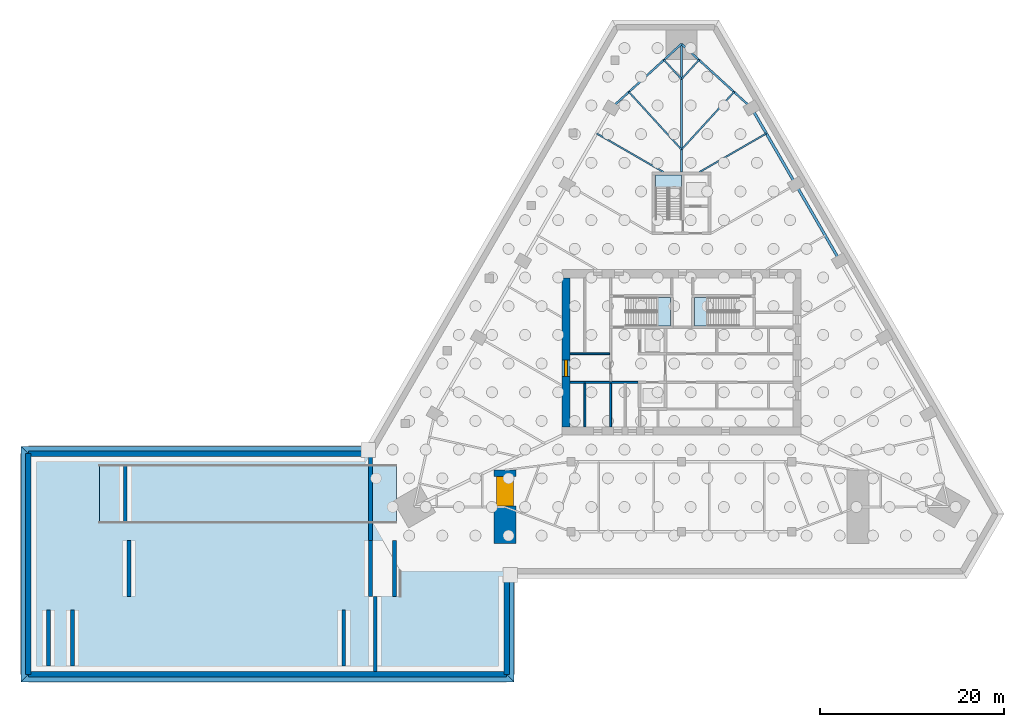
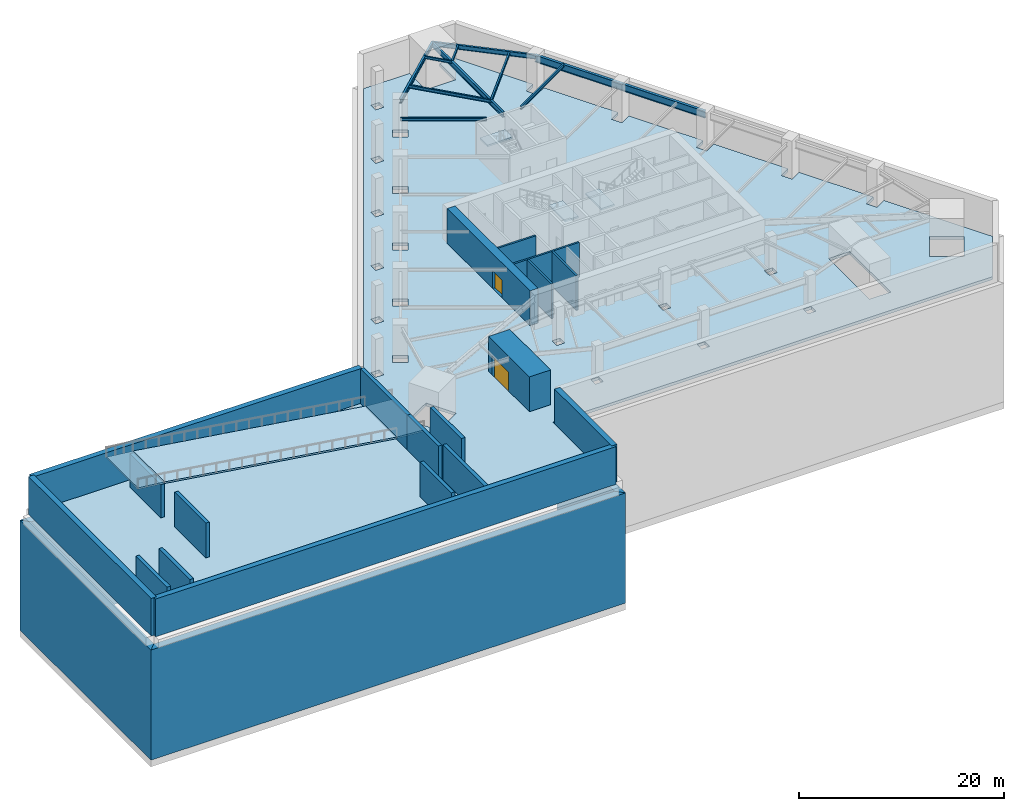
# One storey, part 3 of 8: 23 walls, 10 beams, 7 slabs, 2 doors, 2 openings, 3 elements without a shape of their own.
"""IFC4 building model written with IfcOpenShell, lengths in metres."""

import ifcopenshell
import ifcopenshell.guid

model = None  # the IFC model being written
_history = None  # IfcOwnerHistory: only IFC2X3 demands one
_inside = {}  # id of a spatial element -> (the spatial element, [elements in it])
_under = {}  # id of a project, library or spatial element -> (it, [spatial elements below it])
_declared = {}  # id of a project -> (the project, [libraries it declares])
_typed = {}  # id of a type object -> (the type object, [elements of that type])
_made_of = {}  # id of a material, layer set ... -> (it, [elements and type objects made of it])


def new_model(schema):
    """Start an empty IFC model of exactly this schema.

    Asked for "IFC4X3", IfcOpenShell would pick the latest addendum, in which some entities
    have other attributes; the version numbers below select the first issue.
    IFC2X3 requires an IfcOwnerHistory on every rooted entity: one is made here for all.
    """
    global model, _history
    if schema == "IFC4X3":
        model = ifcopenshell.file(schema_version=(4, 3, 0, 0))
    else:
        model = ifcopenshell.file(schema=schema)
    _inside.clear()
    _under.clear()
    _declared.clear()
    _typed.clear()
    _made_of.clear()
    _history = None
    if model.schema == "IFC2X3":
        org = make("IfcOrganization", Name="unknown")
        user = make(
            "IfcPersonAndOrganization",
            ThePerson=make("IfcPerson", FamilyName="unknown"),
            TheOrganization=org,
        )
        app = make(
            "IfcApplication",
            ApplicationDeveloper=org,
            Version="unknown",
            ApplicationFullName="unknown",
            ApplicationIdentifier="unknown",
        )
        _history = make(
            "IfcOwnerHistory",
            OwningUser=user,
            OwningApplication=app,
            ChangeAction="ADDED",
            CreationDate=0,
        )
    return model


def make(cls, **values):
    """One entity of the class cls with the attributes given. An attribute that is None is left unset."""
    return model.create_entity(
        cls, **{name: value for name, value in values.items() if value is not None}
    )


def rooted(cls, **values):
    """An entity with a GlobalId (a new one), such as an element, a storey or a relation."""
    return make(cls, GlobalId=ifcopenshell.guid.new(), OwnerHistory=_history, **values)


def si_unit(unit_type, name, prefix=None):
    """IfcSIUnit, for example si_unit("LENGTHUNIT", "METRE", prefix="MILLI")."""
    return make("IfcSIUnit", UnitType=unit_type, Prefix=prefix, Name=name)


def assignment(units):
    """IfcUnitAssignment: the units of a project."""
    return None if units is None else make("IfcUnitAssignment", Units=units)


def point(xyz):
    """IfcCartesianPoint."""
    return None if xyz is None else make("IfcCartesianPoint", Coordinates=xyz)


def direction(xyz):
    """IfcDirection."""
    return None if xyz is None else make("IfcDirection", DirectionRatios=xyz)


def frame(location, z_axis=None, x_axis=None):
    """IfcAxis2Placement3D, a coordinate frame: its origin and axes. An axis left out is left unset."""
    return make(
        "IfcAxis2Placement3D",
        Location=point(location),
        Axis=direction(z_axis),
        RefDirection=direction(x_axis),
    )


def frame_2d(location, x_axis=None):
    """IfcAxis2Placement2D, a coordinate frame in the plane: its origin and x axis."""
    return make(
        "IfcAxis2Placement2D", Location=point(location), RefDirection=direction(x_axis)
    )


def origin():
    """The frame at (0, 0, 0) with its axes left unset."""
    return frame((0.0, 0.0, 0.0))


def origin_2d():
    """The frame at (0, 0) in the plane with its x axis left unset."""
    return frame_2d((0.0, 0.0))


def place(relative_to, where):
    """IfcLocalPlacement: puts the frame where relative to a parent placement (None: the world)."""
    return make(
        "IfcLocalPlacement", PlacementRelTo=relative_to, RelativePlacement=where
    )


def context(
    kind, dimensions, precision=None, world=None, true_north=None, identifier=None
):
    """IfcGeometricRepresentationContext, for example the 3D "Model" context."""
    return make(
        "IfcGeometricRepresentationContext",
        ContextIdentifier=identifier,
        ContextType=kind,
        CoordinateSpaceDimension=dimensions,
        Precision=precision,
        WorldCoordinateSystem=world,
        TrueNorth=true_north,
    )


def subcontext(parent, identifier, kind, view, scale=None):
    """IfcGeometricRepresentationSubContext, for example "Body" below "Model"."""
    return make(
        "IfcGeometricRepresentationSubContext",
        ContextIdentifier=identifier,
        ContextType=kind,
        ParentContext=parent,
        TargetScale=scale,
        TargetView=view,
    )


def project(units=None, contexts=None):
    """IfcProject with its units and contexts."""
    return rooted(
        "IfcProject",
        Name="project",
        RepresentationContexts=contexts,
        UnitsInContext=assignment(units),
    )


def spatial(cls, under=None, at=None, **own):
    """A site, building, storey or space (cls), placed at a placement, below another one or the project."""
    s = rooted(cls, ObjectPlacement=at, **own)
    if under is not None:
        _under.setdefault(under.id(), (under, []))[1].append(s)
    return s


def polyline(points):
    """IfcPolyline through the points."""
    return make("IfcPolyline", Points=[point(p) for p in points])


def profile(cls, at=None, kind="AREA", **sizes):
    """A parametric profile (cls). Its sizes go by their IFC names, for example OverallWidth=200.0."""
    return make(cls, ProfileType=kind, Position=at, **sizes)


def rectangle(**sizes):
    """IfcRectangleProfileDef."""
    return profile("IfcRectangleProfileDef", **sizes)


def i_section(**sizes):
    """IfcIShapeProfileDef."""
    return profile("IfcIShapeProfileDef", **sizes)


def outline(outer, holes=None, kind="AREA"):
    """IfcArbitraryClosedProfileDef: a profile drawn as a closed curve; with holes, ...WithVoids."""
    if holes is None:
        return make("IfcArbitraryClosedProfileDef", ProfileType=kind, OuterCurve=outer)
    return make(
        "IfcArbitraryProfileDefWithVoids",
        ProfileType=kind,
        OuterCurve=outer,
        InnerCurves=holes,
    )


def extrude(swept, where, along, depth):
    """IfcExtrudedAreaSolid: the profile swept, set in the frame where, extruded along a direction by depth."""
    return make(
        "IfcExtrudedAreaSolid",
        SweptArea=swept,
        Position=where,
        ExtrudedDirection=direction(along),
        Depth=depth,
    )


def shape(context_of_items, identifier, shape_type, items):
    """IfcShapeRepresentation: the items that make up one representation, for example the "Body"."""
    return make(
        "IfcShapeRepresentation",
        ContextOfItems=context_of_items,
        RepresentationIdentifier=identifier,
        RepresentationType=shape_type,
        Items=items,
    )


def material(Name=None, Category=None):
    """IfcMaterial."""
    return make("IfcMaterial", Name=Name, Category=Category)


def layer(
    of_material, thickness, ventilated=None, Name=None, Category=None, Priority=None
):
    """IfcMaterialLayer: one layer of a wall or slab, of a material (None: an air gap)."""
    return make(
        "IfcMaterialLayer",
        Material=of_material,
        LayerThickness=thickness,
        IsVentilated=ventilated,
        Name=Name,
        Category=Category,
        Priority=Priority,
    )


def layer_set(layers, Name=None):
    """IfcMaterialLayerSet."""
    return make("IfcMaterialLayerSet", MaterialLayers=layers, LayerSetName=Name)


def material_profile(
    of_material, cross_section, Name=None, Category=None, Priority=None
):
    """IfcMaterialProfile: a cross section and its material."""
    return make(
        "IfcMaterialProfile",
        Name=Name,
        Material=of_material,
        Profile=cross_section,
        Priority=Priority,
        Category=Category,
    )


def profile_set(profiles, Name=None, composite=None):
    """IfcMaterialProfileSet."""
    return make(
        "IfcMaterialProfileSet",
        Name=Name,
        MaterialProfiles=profiles,
        CompositeProfile=composite,
    )


def made_of(thing, what):
    """Note that an element or type object is made of a material, layer set ...; save() writes the relation."""
    if what is not None:
        _made_of.setdefault(what.id(), (what, []))[1].append(thing)
    return thing


def type_object(cls, material=None, **own):
    """A type object (cls), such as IfcWallType, which elements share."""
    return made_of(rooted(cls, **own), material)


def element(
    cls,
    number,
    at=None,
    inside=None,
    cuts=None,
    type_object=None,
    material=None,
    context=None,
    identifier="Body",
    shape_type=None,
    held_by="IfcProductDefinitionShape",
    body=None,
    shapes=None,
    **own,
):
    """One element of the class cls, such as IfcWall. Its Tag is "e" and its number.

    at: its placement. inside: the storey or other place that contains it. cuts: it is an
    opening in that element (IfcRelVoidsElement). A single representation is given by context,
    identifier, shape_type and body (its items); several are given by shapes. held_by: the class
    of the entity that holds the representations. save() writes the other relations.
    """
    e = rooted(cls, Tag="e%d" % number, ObjectPlacement=at, **own)
    if body is not None:
        shapes = [shape(context, identifier, shape_type, body)]
    if shapes is not None:
        e.Representation = make(held_by, Representations=shapes)
    if inside is not None:
        _inside.setdefault(inside.id(), (inside, []))[1].append(e)
    if cuts is not None:
        rooted(
            "IfcRelVoidsElement", RelatingBuildingElement=cuts, RelatedOpeningElement=e
        )
    if type_object is not None:
        _typed.setdefault(type_object.id(), (type_object, []))[1].append(e)
    return made_of(e, material)


def fill(opening, filler):
    """IfcRelFillsElement: the door or window that sits in an opening."""
    return rooted(
        "IfcRelFillsElement",
        RelatingOpeningElement=opening,
        RelatedBuildingElement=filler,
    )


def aggregate(whole, parts):
    """IfcRelAggregates: a whole, such as a stair, and the parts it consists of."""
    return rooted("IfcRelAggregates", RelatingObject=whole, RelatedObjects=parts)


def save(model, path):
    """Write the relations noted so far, then the file.

    IfcRelAggregates (storeys below a building ...), IfcRelContainedInSpatialStructure (elements
    in a storey), IfcRelDefinesByType, IfcRelAssociatesMaterial and IfcRelDeclares: one each for
    every whole, place, type object, material and project.
    """
    for whole, parts in _under.values():
        aggregate(whole, parts)
    for where, things in _inside.values():
        rooted(
            "IfcRelContainedInSpatialStructure",
            RelatedElements=things,
            RelatingStructure=where,
        )
    for kind, things in _typed.values():
        rooted("IfcRelDefinesByType", RelatedObjects=things, RelatingType=kind)
    for what, things in _made_of.values():
        rooted("IfcRelAssociatesMaterial", RelatedObjects=things, RelatingMaterial=what)
    for by, libraries in _declared.values():
        rooted("IfcRelDeclares", RelatingContext=by, RelatedDefinitions=libraries)
    model.write(path)


model = new_model("IFC4")

# Units and contexts
model_context = context("Model", 3, precision=1e-05, world=origin(), true_north=direction((0.0, 1.0)))
body_context = subcontext(model_context, "Body", "Model", "MODEL_VIEW")
ifc_project = project(units=[si_unit("LENGTHUNIT", "METRE"), si_unit("AREAUNIT", "SQUARE_METRE"), si_unit("VOLUMEUNIT", "CUBIC_METRE"), si_unit("PLANEANGLEUNIT", "RADIAN"), si_unit("MASSUNIT", "GRAM", prefix="KILO")], contexts=[model_context])

# Site, building, storey
site_placement = place(None, origin())
site = spatial("IfcSite", under=ifc_project, at=site_placement, CompositionType="ELEMENT")
building_placement = place(site_placement, origin())
building = spatial("IfcBuilding", under=site, at=building_placement, Name="Firuza Gate Tower and Library", CompositionType="ELEMENT")
storey_placement = place(building_placement, frame((0.0, 0.0, -14.0)))
storey = spatial("IfcBuildingStorey", under=building, at=storey_placement, Name="B3", CompositionType="ELEMENT", Elevation=-14.0)

# Beams
ifc_material_1 = material(Name="Steel S355", Category="steel")
ifc_material_profile_1 = material_profile(ifc_material_1, i_section(OverallWidth=0.1650390625, OverallDepth=0.31005859375, WebThickness=0.005859375, FlangeThickness=0.009765625, at=origin_2d()))
ifc_profile_set_1 = profile_set([ifc_material_profile_1], Name="Steel S355")
beam_type_1 = type_object("IfcBeamType", Name="W310x39 Floor beam", PredefinedType="JOIST", material=ifc_profile_set_1)
for number, where, z_axis, x_axis, name in (
    (1, (76.905029296875, 106.79296875, 3.9951171875), (-0.674533736892, -0.738244023203, 0.0), (0.738244023203, -0.674533736892, 0.0), "Floor beam B3 s81"),
    (2, (73.094970703125, 106.79296875, 3.9951171875), (0.674533736892, -0.738244023203, 0.0), (0.738244023203, 0.674533736892, 0.0), "Floor beam B3 s90"),
):
    element("IfcBeam", number, at=place(storey_placement, frame(where, z_axis=z_axis, x_axis=x_axis)), inside=storey, type_object=beam_type_1, Name=name, PredefinedType="JOIST", context=body_context, shape_type="SweptSolid", body=[
        extrude(i_section(OverallWidth=0.1650390625, OverallDepth=0.31005859375, WebThickness=0.005859375, FlangeThickness=0.009765625, at=origin_2d()), origin(), (0.0, 0.0, 1.0), 2.82421875),
    ])
ifc_material_2 = material(Name="Steel S355", Category="steel")
ifc_material_profile_2 = material_profile(ifc_material_2, i_section(OverallWidth=0.1708984375, OverallDepth=0.35498046875, WebThickness=0.007080078125, FlangeThickness=0.01171875, at=origin_2d()))
ifc_profile_set_2 = profile_set([ifc_material_profile_2], Name="Steel S355")
beam_type_2 = type_object("IfcBeamType", Name="W360x51 Floor beam", PredefinedType="JOIST", material=ifc_profile_set_2)
beam_1_placement = place(storey_placement, frame((84.220458984375, 98.798828125, 3.972412109375), z_axis=(-0.866019517829, -0.500010194636, 0.0), x_axis=(0.500010194636, -0.866019517829, 0.0)))
element("IfcBeam", 3, at=beam_1_placement, inside=storey, type_object=beam_type_2, Name="Floor beam B3 s75", PredefinedType="JOIST", context=body_context, shape_type="SweptSolid", body=[
    extrude(i_section(OverallWidth=0.1708984375, OverallDepth=0.35498046875, WebThickness=0.007080078125, FlangeThickness=0.01171875, at=origin_2d()), origin(), (0.0, 0.0, 1.0), 8.397216796875),
])
for number, where, z_axis, x_axis, name in (
    (4, (80.71533203125, 103.31103515625, 3.972412109375), (-0.674578139258, -0.7382034503, 0.0), (0.7382034503, -0.674578139258, 0.0), "Floor beam B3 s80"),
    (5, (69.28466796875, 103.31103515625, 3.972412109375), (0.674578139258, -0.7382034503, 0.0), (0.7382034503, 0.674578139258, 0.0), "Floor beam B3 s91"),
):
    element("IfcBeam", number, at=place(storey_placement, frame(where, z_axis=z_axis, x_axis=x_axis)), inside=storey, type_object=beam_type_2, Name=name, PredefinedType="JOIST", context=body_context, shape_type="SweptSolid", body=[
        extrude(i_section(OverallWidth=0.1708984375, OverallDepth=0.35498046875, WebThickness=0.007080078125, FlangeThickness=0.01171875, at=origin_2d()), origin(), (0.0, 0.0, 1.0), 8.472412109375),
    ])
beam_2_placement = place(storey_placement, frame((65.779541015625, 98.798828125, 3.972412109375), z_axis=(0.866019517829, -0.500010194636, 0.0), x_axis=(0.500010194636, 0.866019517829, 0.0)))
element("IfcBeam", 6, at=beam_2_placement, inside=storey, type_object=beam_type_2, Name="Floor beam B3 s100", PredefinedType="JOIST", context=body_context, shape_type="SweptSolid", body=[
    extrude(i_section(OverallWidth=0.1708984375, OverallDepth=0.35498046875, WebThickness=0.007080078125, FlangeThickness=0.01171875, at=origin_2d()), origin(), (0.0, 0.0, 1.0), 8.397216796875),
])
ifc_material_3 = material(Name="Steel S355", Category="steel")
ifc_material_profile_3 = material_profile(ifc_material_3, i_section(OverallWidth=0.212890625, OverallDepth=0.5390625, WebThickness=0.01171875, FlangeThickness=0.018798828125, at=origin_2d()))
ifc_profile_set_3 = profile_set([ifc_material_profile_3], Name="Steel S355")
beam_type_3 = type_object("IfcBeamType", Name="W530x109 Edge beam", PredefinedType="SPANDREL", material=ifc_profile_set_3)
for number, where, z_axis, x_axis, name in (
    (7, (82.62060546875, 101.570068359375, 3.880615234375), (-0.738199730284, 0.674582210118, 0.0), (-0.674582210118, -0.738199730284, 0.0), "Edge beam B3 e80"),
    (8, (75.0, 108.533935546875, 3.880615234375), (-0.738199730284, -0.674582210118, 0.0), (0.674582210118, -0.738199730284, 0.0), "Edge beam B3 e90"),
):
    element("IfcBeam", number, at=place(storey_placement, frame(where, z_axis=z_axis, x_axis=x_axis)), inside=storey, type_object=beam_type_3, Name=name, PredefinedType="SPANDREL", context=body_context, shape_type="SweptSolid", body=[
        extrude(i_section(OverallWidth=0.212890625, OverallDepth=0.5390625, WebThickness=0.01171875, FlangeThickness=0.018798828125, at=origin_2d()), origin(), (0.0, 0.0, 1.0), 10.3232421875),
    ])
ifc_material_4 = material(Name="Steel S355", Category="steel")
ifc_material_profile_4 = material_profile(ifc_material_4, i_section(OverallWidth=0.22802734375, OverallDepth=0.60302734375, WebThickness=0.010498046875, FlangeThickness=0.014892578125, at=origin_2d()))
ifc_profile_set_4 = profile_set([ifc_material_profile_4], Name="Steel S355")
beam_type_4 = type_object("IfcBeamType", Name="W610x101 Girder", PredefinedType="BEAM", material=ifc_profile_set_4)
beam_3_placement = place(storey_placement, frame((75.0, 108.533935546875, 3.848388671875), z_axis=(0.0, -1.0, 0.0), x_axis=(1.0, 0.0, 0.0)))
element("IfcBeam", 9, at=beam_3_placement, inside=storey, type_object=beam_type_4, Name="Girder B3 gN", PredefinedType="BEAM", context=body_context, shape_type="SweptSolid", body=[
    extrude(i_section(OverallWidth=0.22802734375, OverallDepth=0.60302734375, WebThickness=0.010498046875, FlangeThickness=0.014892578125, at=origin_2d()), origin(), (0.0, 0.0, 1.0), 13.933837890625),
])
ifc_material_5 = material(Name="Steel S355", Category="steel")
ifc_material_profile_5 = material_profile(ifc_material_5, i_section(OverallWidth=0.2919921875, OverallDepth=0.8349609375, WebThickness=0.013916015625, FlangeThickness=0.018798828125, at=origin_2d()))
ifc_profile_set_5 = profile_set([ifc_material_profile_5], Name="Steel S355")
beam_type_5 = type_object("IfcBeamType", Name="W840x176 Edge beam", PredefinedType="SPANDREL", material=ifc_profile_set_5)
beam_4_placement = place(storey_placement, frame((92.220458984375, 84.9423828125, 3.732421875), z_axis=(-0.499994327668, 0.866028678682, 0.0), x_axis=(-0.866028678682, -0.499994327668, 0.0)))
element("IfcBeam", 10, at=beam_4_placement, inside=storey, type_object=beam_type_5, Name="Edge beam B3 e72", PredefinedType="SPANDREL", context=body_context, shape_type="SweptSolid", body=[
    extrude(i_section(OverallWidth=0.2919921875, OverallDepth=0.8349609375, WebThickness=0.013916015625, FlangeThickness=0.018798828125, at=origin_2d()), origin(), (0.0, 0.0, 1.0), 19.199951171875),
])

# Slabs
ifc_material_6 = material(Name="Concrete C40/50", Category="concrete")
ifc_layer_1 = layer(ifc_material_6, 0.199951171875)
ifc_layer_set_1 = layer_set([ifc_layer_1], Name="Car park ramp slab 200 C40/50")
slab_type_1 = type_object("IfcSlabType", Name="Car park ramp slab 200 C40/50", PredefinedType="USERDEFINED", material=ifc_layer_set_1)
slab_1_placement = place(storey_placement, frame((11.75, 59.60009765625, 3.966796875), z_axis=(0.0, 0.0, 1.0), x_axis=(1.0, 0.0, 0.0)))
element("IfcSlab", 11, at=slab_1_placement, inside=storey, type_object=slab_type_1, Name="Car park ramp 3 slab 1", ObjectType="RAMP SLAB", PredefinedType="USERDEFINED", context=body_context, shape_type="SweptSolid", body=[
    extrude(outline(polyline([(0.0, 0.533203125), (3.0, 0.199951171875), (3.0, 0.0), (0.0, 0.333251953125), (0.0, 0.533203125)])), frame((0.0, 3.0498046875, 0.0), z_axis=(0.0, -1.0, 0.0), x_axis=(1.0, 0.0, 0.0)), (0.0, 0.0, 1.0), 6.099853515625),
])
slab_2_placement = place(storey_placement, frame((14.75, 59.60009765625, 0.13330078125), z_axis=(0.0, 0.0, 1.0), x_axis=(1.0, 0.0, 0.0)))
element("IfcSlab", 12, at=slab_2_placement, inside=storey, type_object=slab_type_1, Name="Car park ramp 3 slab 2", ObjectType="RAMP SLAB", PredefinedType="USERDEFINED", context=body_context, shape_type="SweptSolid", body=[
    extrude(outline(polyline([(0.0, 4.033447265625), (26.25, 0.199951171875), (26.25, 0.0), (0.0, 3.83349609375), (0.0, 4.033447265625)])), frame((0.0, 3.0498046875, 0.0), z_axis=(0.0, -1.0, 0.0), x_axis=(1.0, 0.0, 0.0)), (0.0, 0.0, 1.0), 6.099853515625),
])
slab_3_placement = place(storey_placement, frame((41.0, 59.60009765625, -0.08984375), z_axis=(0.0, 0.0, 1.0), x_axis=(1.0, 0.0, 0.0)))
element("IfcSlab", 13, at=slab_3_placement, inside=storey, type_object=slab_type_1, Name="Car park ramp 3 slab 3", ObjectType="RAMP SLAB", PredefinedType="USERDEFINED", context=body_context, shape_type="SweptSolid", body=[
    extrude(outline(polyline([(0.0, 0.423095703125), (3.0, 0.199951171875), (3.0, 0.0), (0.0, 0.22314453125), (0.0, 0.423095703125)])), frame((0.0, 3.0498046875, 0.0), z_axis=(0.0, -1.0, 0.0), x_axis=(1.0, 0.0, 0.0)), (0.0, 0.0, 1.0), 6.099853515625),
])
ifc_material_7 = material(Name="Concrete C40/50", Category="concrete")
ifc_layer_2 = layer(ifc_material_7, 0.35009765625)
ifc_layer_set_2 = layer_set([ifc_layer_2], Name="Ground bearing slab 350 C40/50")
slab_type_2 = type_object("IfcSlabType", Name="Ground bearing slab 350 C40/50", PredefinedType="BASESLAB", material=ifc_layer_set_2)
slab_4_placement = place(storey_placement, frame((0.0, 0.0, -0.35009765625)))
element("IfcSlab", 14, at=slab_4_placement, inside=storey, type_object=slab_type_2, Name="Floor slab B3", PredefinedType="BASESLAB", context=body_context, shape_type="SweptSolid", body=[
    extrude(outline(polyline([(55.699951171875, 40.300048828125), (55.699951171875, 51.515380859375), (105.35888671875, 51.515380859375), (108.78564453125, 57.45068359375), (102.64013671875, 68.094970703125), (101.470947265625, 67.419921875), (100.87109375, 68.459228515625), (102.040283203125, 69.13427734375), (97.840087890625, 76.408935546875), (96.671142578125, 75.73388671875), (96.071044921875, 76.773193359375), (97.240234375, 77.447998046875), (93.040283203125, 84.72265625), (91.87109375, 84.047607421875), (91.27099609375, 85.0869140625), (92.440185546875, 85.761962890625), (88.240234375, 93.03662109375), (87.071044921875, 92.361572265625), (86.470947265625, 93.40087890625), (87.64013671875, 94.07568359375), (83.440185546875, 101.350341796875), (82.27099609375, 100.67529296875), (81.671142578125, 101.714599609375), (82.840087890625, 102.3896484375), (78.4267578125, 110.033935546875), (76.699951171875, 110.033935546875), (76.699951171875, 106.833740234375), (73.300048828125, 106.833740234375), (73.300048828125, 110.033935546875), (68.109130859375, 110.033935546875), (41.358154296875, 63.699951171875), (4.300048828125, 63.699951171875), (4.300048828125, 40.300048828125), (55.699951171875, 40.300048828125)]), holes=[polyline([(63.449951171875, 55.0654296875), (62.550048828125, 55.0654296875), (62.550048828125, 55.96533203125), (63.449951171875, 55.96533203125), (63.449951171875, 55.0654296875)]), polyline([(54.60009765625, 62.21533203125), (57.0, 62.21533203125), (57.0, 54.21533203125), (54.60009765625, 54.21533203125), (54.60009765625, 62.21533203125)]), polyline([(43.63671875, 58.855224609375), (46.5810546875, 60.555419921875), (48.281005859375, 57.61083984375), (45.336669921875, 55.910888671875), (43.63671875, 58.855224609375)]), polyline([(63.449951171875, 62.665283203125), (62.550048828125, 62.665283203125), (62.550048828125, 63.5654296875), (63.449951171875, 63.5654296875), (63.449951171875, 62.665283203125)]), polyline([(44.5302734375, 66.82373046875), (44.5302734375, 67.7236328125), (45.430419921875, 67.7236328125), (45.430419921875, 66.82373046875), (44.5302734375, 66.82373046875)]), polyline([(47.829833984375, 69.209228515625), (49.12890625, 68.459228515625), (48.529052734375, 67.419921875), (47.22998046875, 68.169921875), (47.829833984375, 69.209228515625)]), polyline([(49.98974609375, 74.720947265625), (49.08984375, 74.720947265625), (49.08984375, 75.620849609375), (49.98974609375, 75.620849609375), (49.98974609375, 74.720947265625)]), polyline([(52.6298828125, 77.523193359375), (53.928955078125, 76.773193359375), (53.328857421875, 75.73388671875), (52.02978515625, 76.48388671875), (52.6298828125, 77.523193359375)]), polyline([(53.6494140625, 82.6181640625), (53.6494140625, 83.518310546875), (54.54931640625, 83.518310546875), (54.54931640625, 82.6181640625), (53.6494140625, 82.6181640625)]), polyline([(57.429931640625, 85.8369140625), (58.72900390625, 85.0869140625), (58.12890625, 84.047607421875), (56.829833984375, 84.797607421875), (57.429931640625, 85.8369140625)]), polyline([(58.208984375, 90.515625), (58.208984375, 91.41552734375), (59.10888671875, 91.41552734375), (59.10888671875, 90.515625), (58.208984375, 90.515625)]), polyline([(62.22998046875, 94.15087890625), (63.529052734375, 93.40087890625), (62.928955078125, 92.361572265625), (61.6298828125, 93.111572265625), (62.22998046875, 94.15087890625)]), polyline([(62.768310546875, 98.412841796875), (62.768310546875, 99.31298828125), (63.66845703125, 99.31298828125), (63.66845703125, 98.412841796875), (62.768310546875, 98.412841796875)]), polyline([(66.429931640625, 101.42529296875), (67.02978515625, 102.464599609375), (68.328857421875, 101.714599609375), (67.72900390625, 100.67529296875), (66.429931640625, 101.42529296875)]), polyline([(74.550048828125, 55.0654296875), (74.550048828125, 55.96533203125), (75.449951171875, 55.96533203125), (75.449951171875, 55.0654296875), (74.550048828125, 55.0654296875)]), polyline([(86.550048828125, 55.0654296875), (86.550048828125, 55.96533203125), (87.449951171875, 55.96533203125), (87.449951171875, 55.0654296875), (86.550048828125, 55.0654296875)]), polyline([(93.0, 62.21533203125), (95.39990234375, 62.21533203125), (95.39990234375, 54.21533203125), (93.0, 54.21533203125), (93.0, 62.21533203125)]), polyline([(104.663330078125, 55.910888671875), (101.718994140625, 57.61083984375), (103.4189453125, 60.555419921875), (106.36328125, 58.855224609375), (104.663330078125, 55.910888671875)]), polyline([(74.550048828125, 62.665283203125), (74.550048828125, 63.5654296875), (75.449951171875, 63.5654296875), (75.449951171875, 62.665283203125), (74.550048828125, 62.665283203125)]), polyline([(86.550048828125, 62.665283203125), (86.550048828125, 63.5654296875), (87.449951171875, 63.5654296875), (87.449951171875, 62.665283203125), (86.550048828125, 62.665283203125)]), polyline([(67.327880859375, 106.310302734375), (67.327880859375, 107.210205078125), (68.227783203125, 107.210205078125), (68.227783203125, 106.310302734375), (67.327880859375, 106.310302734375)])]), origin(), (0.0, 0.0, 1.0), 0.35009765625),
])

# Stair, slab
ifc_material_8 = material(Name="Concrete C35/45", Category="concrete")
stair_type_1 = type_object("IfcStairType", Name="Exit stair ST1", PredefinedType="HALF_TURN_STAIR", material=ifc_material_8)
placement_1 = place(storey_placement, origin())
stair_1 = element("IfcStair", 15, at=placement_1, inside=storey, type_object=stair_type_1, Name="B3 Stair ST1", PredefinedType="HALF_TURN_STAIR")
ifc_material_9 = material(Name="Concrete C35/45", Category="concrete")
ifc_layer_3 = layer(ifc_material_9, 0.199951171875)
ifc_layer_set_3 = layer_set([ifc_layer_3], Name="Stair landing 200")
slab_type_3 = type_object("IfcSlabType", Name="Stair landing 200", PredefinedType="LANDING", material=ifc_layer_set_3)
placement_2 = place(storey_placement, frame((0.0, 0.0, 2.050048828125)))
slab_5 = element("IfcSlab", 16, at=placement_2, type_object=slab_type_3, Name="ST1 landing 1", PredefinedType="LANDING", context=body_context, shape_type="SweptSolid", body=[
    extrude(outline(polyline([(72.300048828125, 77.89990234375), (73.81005859375, 77.89990234375), (73.81005859375, 80.97998046875), (72.300048828125, 80.97998046875), (72.300048828125, 77.89990234375)])), origin(), (0.0, 0.0, 1.0), 0.199951171875),
])
aggregate(stair_1, [slab_5])

stair_2 = element("IfcStair", 17, at=placement_1, inside=storey, type_object=stair_type_1, Name="B3 Stair ST2", PredefinedType="HALF_TURN_STAIR")
slab_6 = element("IfcSlab", 18, at=placement_2, type_object=slab_type_3, Name="ST2 landing 1", PredefinedType="LANDING", context=body_context, shape_type="SweptSolid", body=[
    extrude(outline(polyline([(77.89990234375, 80.97998046875), (76.389892578125, 80.97998046875), (76.389892578125, 77.89990234375), (77.89990234375, 77.89990234375), (77.89990234375, 80.97998046875)])), origin(), (0.0, 0.0, 1.0), 0.199951171875),
])
aggregate(stair_2, [slab_6])

ifc_material_10 = material(Name="Concrete C35/45", Category="concrete")
stair_type_2 = type_object("IfcStairType", Name="Exit stair ST10", PredefinedType="HALF_TURN_STAIR", material=ifc_material_10)
stair_3 = element("IfcStair", 19, at=placement_1, inside=storey, type_object=stair_type_2, Name="B3 Stair ST3", PredefinedType="HALF_TURN_STAIR")
slab_7 = element("IfcSlab", 20, at=placement_2, type_object=slab_type_3, Name="ST3 landing 1", PredefinedType="LANDING", context=body_context, shape_type="SweptSolid", body=[
    extrude(outline(polyline([(75.0, 92.830078125), (75.0, 94.300048828125), (72.159912109375, 94.300048828125), (72.159912109375, 92.830078125), (75.0, 92.830078125)])), origin(), (0.0, 0.0, 1.0), 0.199951171875),
])
aggregate(stair_3, [slab_7])

# Walls
ifc_material_11 = material(Name="Plasterboard on steel studs", Category="steel")
ifc_layer_4 = layer(ifc_material_11, 0.199951171875)
ifc_layer_set_4 = layer_set([ifc_layer_4], Name="Core partition 200 EI 120")
wall_type_1 = type_object("IfcWallType", Name="Core partition 200 EI 120", PredefinedType="PARTITIONING", material=ifc_layer_set_4)
wall_1_placement = place(storey_placement, frame((62.89990234375, 71.75, 0.0), z_axis=(0.0, 0.0, 1.0), x_axis=(1.0, 0.0, 0.0)))
element("IfcWall", 21, at=wall_1_placement, inside=storey, type_object=wall_type_1, Name="Core partition B3 2", PredefinedType="PARTITIONING", context=body_context, shape_type="SweptSolid", body=[
    extrude(rectangle(XDim=7.400146484375, YDim=0.199951171875, at=frame_2d((3.7001953125, 0.0))), origin(), (0.0, 0.0, 1.0), 4.14990234375),
])
wall_2_placement = place(storey_placement, frame((62.89990234375, 74.85009765625, 0.0), z_axis=(0.0, 0.0, 1.0), x_axis=(1.0, 0.0, 0.0)))
element("IfcWall", 22, at=wall_2_placement, inside=storey, type_object=wall_type_1, Name="Core partition B3 4", PredefinedType="PARTITIONING", context=body_context, shape_type="SweptSolid", body=[
    extrude(rectangle(XDim=4.300048828125, YDim=0.199951171875, at=frame_2d((2.14990234375, 0.0))), origin(), (0.0, 0.0, 1.0), 4.14990234375),
])
for number, where, z_axis, x_axis, name in (
    (23, (64.5, 66.89990234375, 0.0), (0.0, 0.0, 1.0), (0.0, 1.0, 0.0), "Core partition B3 9"),
    (24, (67.300048828125, 66.89990234375, 0.0), (0.0, 0.0, 1.0), (0.0, 1.0, 0.0), "Core partition B3 11"),
):
    element("IfcWall", number, at=place(storey_placement, frame(where, z_axis=z_axis, x_axis=x_axis)), inside=storey, type_object=wall_type_1, Name=name, PredefinedType="PARTITIONING", context=body_context, shape_type="SweptSolid", body=[
        extrude(rectangle(XDim=4.75, YDim=0.199951171875, at=frame_2d((2.375, 0.0))), origin(), (0.0, 0.0, 1.0), 4.14990234375),
    ])

# Wall, opening, door
ifc_material_12 = material(Name="Concrete C80/95", Category="concrete")
ifc_layer_5 = layer(ifc_material_12, 0.89990234375)
ifc_layer_set_5 = layer_set([ifc_layer_5], Name="Core wall 900 C80/95")
wall_type_2 = type_object("IfcWallType", Name="Core wall 900 C80/95", PredefinedType="SHEAR", material=ifc_layer_set_5)
wall_3_placement = place(storey_placement, frame((62.449951171875, 66.89990234375, -0.35009765625), z_axis=(0.0, 0.0, 1.0), x_axis=(0.0, 1.0, 0.0)))
wall_3 = element("IfcWall", 25, at=wall_3_placement, inside=storey, type_object=wall_type_2, Name="Core wall B3 3", PredefinedType="SHEAR", context=body_context, shape_type="SweptSolid", body=[
    extrude(rectangle(XDim=16.2001953125, YDim=0.89990234375, at=frame_2d((8.10009765625, 0.0))), origin(), (0.0, 0.0, 1.0), 4.5),
])
opening_1_placement = place(wall_3_placement, frame((5.5, 0.0, 0.35009765625)))
opening_1 = element("IfcOpeningElement", 26, at=opening_1_placement, cuts=wall_3, Name="Opening B3-K14", PredefinedType="OPENING", context=body_context, shape_type="SweptSolid", body=[
    extrude(rectangle(XDim=1.800048828125, YDim=2.10009765625, at=frame_2d((0.89990234375, 1.050048828125))), frame((0.0, 0.4599609375, 0.0), z_axis=(0.0, -1.0, 0.0), x_axis=(1.0, 0.0, 0.0)), (0.0, 0.0, 1.0), 0.919921875),
])
ifc_material_13 = material(Name="Steel", Category="steel")
door_type_1 = type_object("IfcDoorType", Name="Fire door 1800x2100 FD30S", OperationType="NOTDEFINED", PredefinedType="DOOR", material=ifc_material_13)
door_1_placement = place(opening_1_placement, origin())
door_1 = element("IfcDoor", 27, at=door_1_placement, inside=storey, type_object=door_type_1, Name="Door B3-K14", OperationType="SINGLE_SWING_LEFT", OverallHeight=2.10009765625, OverallWidth=1.800048828125, PredefinedType="DOOR", context=body_context, shape_type="SweptSolid", body=[
    extrude(rectangle(XDim=1.800048828125, YDim=2.10009765625, at=frame_2d((0.89990234375, 1.050048828125))), frame((0.0, 0.169921875, 0.0), z_axis=(0.0, -1.0, 0.0), x_axis=(1.0, 0.0, 0.0)), (0.0, 0.0, 1.0), 0.33984375),
])
fill(opening_1, door_1)

# Walls
ifc_material_14 = material(Name="Concrete C40/50", Category="concrete")
ifc_layer_6 = layer(ifc_material_14, 0.800048828125)
ifc_layer_set_6 = layer_set([ifc_layer_6], Name="Diaphragm wall 800 C40/50")
wall_type_3 = type_object("IfcWallType", Name="Diaphragm wall 800 C40/50", PredefinedType="SOLIDWALL", material=ifc_layer_set_6)
placement_3 = place(storey_placement, frame((0.0, 0.0, -14.5)))
element("IfcWall", 28, at=placement_3, inside=storey, type_object=wall_type_3, Name="Diaphragm wall 6", PredefinedType="SOLIDWALL", context=body_context, shape_type="SweptSolid", body=[
    extrude(outline(polyline([(41.18505859375, 64.0), (4.0, 64.0), (3.199951171875, 64.800048828125), (40.72314453125, 64.800048828125), (41.18505859375, 64.0)])), origin(), (0.0, 0.0, 1.0), 13.14990234375),
])
element("IfcWall", 29, at=placement_3, inside=storey, type_object=wall_type_3, Name="Diaphragm wall 7", PredefinedType="SOLIDWALL", context=body_context, shape_type="SweptSolid", body=[
    extrude(outline(polyline([(4.0, 64.0), (4.0, 40.0), (3.199951171875, 39.199951171875), (3.199951171875, 64.800048828125), (4.0, 64.0)])), origin(), (0.0, 0.0, 1.0), 13.14990234375),
])
element("IfcWall", 30, at=placement_3, inside=storey, type_object=wall_type_3, Name="Diaphragm wall 8", PredefinedType="SOLIDWALL", context=body_context, shape_type="SweptSolid", body=[
    extrude(outline(polyline([(4.0, 40.0), (56.0, 40.0), (56.800048828125, 39.199951171875), (3.199951171875, 39.199951171875), (4.0, 40.0)])), origin(), (0.0, 0.0, 1.0), 13.14990234375),
])
element("IfcWall", 31, at=placement_3, inside=storey, type_object=wall_type_3, Name="Diaphragm wall 9", PredefinedType="SOLIDWALL", context=body_context, shape_type="SweptSolid", body=[
    extrude(outline(polyline([(56.0, 40.0), (56.0, 51.21533203125), (56.800048828125, 50.415283203125), (56.800048828125, 39.199951171875), (56.0, 40.0)])), origin(), (0.0, 0.0, 1.0), 13.14990234375),
])

# Wall, opening, door
ifc_material_15 = material(Name="Concrete C80/95", Category="concrete")
ifc_layer_7 = layer(ifc_material_15, 2.39990234375)
ifc_layer_set_7 = layer_set([ifc_layer_7], Name="Iwan wall 2400 C80/95")
wall_type_4 = type_object("IfcWallType", Name="Iwan wall 2400 C80/95", PredefinedType="SHEAR", material=ifc_layer_set_7)
wall_8_placement = place(storey_placement, frame((55.800048828125, 54.21533203125, -0.35009765625), z_axis=(0.0, 0.0, 1.0), x_axis=(0.0, 1.0, 0.0)))
wall_8 = element("IfcWall", 32, at=wall_8_placement, inside=storey, type_object=wall_type_4, Name="Iwan wall W B3", PredefinedType="SHEAR", context=body_context, shape_type="SweptSolid", body=[
    extrude(rectangle(XDim=8.0, YDim=2.39990234375, at=frame_2d((4.0, 0.0))), origin(), (0.0, 0.0, 1.0), 4.5),
])
opening_2_placement = place(wall_8_placement, frame((4.084716796875, 0.0, 0.0)))
opening_2 = element("IfcOpeningElement", 33, at=opening_2_placement, cuts=wall_8, Name="Opening B3-V01", PredefinedType="OPENING", context=body_context, shape_type="SweptSolid", body=[
    extrude(rectangle(XDim=3.199951171875, YDim=2.60009765625, at=frame_2d((1.60009765625, 1.300048828125))), frame((0.0, 1.2099609375, 0.0), z_axis=(0.0, -1.0, 0.0), x_axis=(1.0, 0.0, 0.0)), (0.0, 0.0, 1.0), 2.419921875),
])
ifc_material_16 = material(Name="Steel roller shutter", Category="steel")
door_type_2 = type_object("IfcDoorType", Name="Vehicle gate 3200x2600", OperationType="ROLLINGUP", PredefinedType="GATE", material=ifc_material_16)
door_2_placement = place(opening_2_placement, origin())
door_2 = element("IfcDoor", 34, at=door_2_placement, inside=storey, type_object=door_type_2, Name="c:vgate:B3", OperationType="ROLLINGUP", OverallHeight=2.60009765625, OverallWidth=3.199951171875, PredefinedType="GATE", context=body_context, shape_type="SweptSolid", body=[
    extrude(rectangle(XDim=3.199951171875, YDim=2.60009765625, at=frame_2d((1.60009765625, 1.300048828125))), frame((0.0, 0.919921875, 0.0), z_axis=(0.0, -1.0, 0.0), x_axis=(1.0, 0.0, 0.0)), (0.0, 0.0, 1.0), 1.83984375),
])
fill(opening_2, door_2)

# Walls
ifc_material_17 = material(Name="Concrete C40/50", Category="concrete")
ifc_layer_8 = layer(ifc_material_17, 0.39990234375)
ifc_layer_set_8 = layer_set([ifc_layer_8], Name="Ramp pit wall 400 C40/50")
wall_type_5 = type_object("IfcWallType", Name="Ramp pit wall 400 C40/50", PredefinedType="SOLIDWALL", material=ifc_layer_set_8)
wall_9_placement = place(storey_placement, frame((41.199951171875, 54.550048828125, 0.0), z_axis=(0.0, 0.0, 1.0), x_axis=(0.0, 1.0, 0.0)))
element("IfcWall", 35, at=wall_9_placement, inside=storey, type_object=wall_type_5, Name="Ramp pit wall B3", PredefinedType="SOLIDWALL", context=body_context, shape_type="SweptSolid", body=[
    extrude(rectangle(XDim=9.14990234375, YDim=0.39990234375, at=frame_2d((4.574951171875, 0.0))), origin(), (0.0, 0.0, 1.0), 4.14990234375),
])
ifc_material_18 = material(Name="Concrete C40/50", Category="concrete")
ifc_layer_9 = layer(ifc_material_18, 0.39990234375)
ifc_layer_set_9 = layer_set([ifc_layer_9], Name="Ramp support wall 400")
wall_type_6 = type_object("IfcWallType", Name="Ramp support wall 400", PredefinedType="SOLIDWALL", material=ifc_layer_set_9)
for number, where, z_axis, x_axis, name in (
    (36, (8.800048828125, 40.89990234375, 0.0), (0.0, 0.0, 1.0), (0.0, 1.0, 0.0), "Ramp support wall R1:J1 B3"),
    (37, (38.300048828125, 40.89990234375, 0.0), (0.0, 0.0, 1.0), (0.0, 1.0, 0.0), "Ramp support wall R1:J2 B3"),
):
    element("IfcWall", number, at=place(storey_placement, frame(where, z_axis=z_axis, x_axis=x_axis)), inside=storey, type_object=wall_type_6, Name=name, PredefinedType="SOLIDWALL", context=body_context, shape_type="SweptSolid", body=[
        extrude(rectangle(XDim=6.10009765625, YDim=0.39990234375, at=frame_2d((3.050048828125, 0.0))), origin(), (0.0, 0.0, 1.0), 4.14990234375),
    ])
wall_10_placement = place(storey_placement, frame((6.0, 43.949951171875, 0.0), z_axis=(0.0, 0.0, 1.0), x_axis=(1.0, 0.0, 0.0)))
element("IfcWall", 38, at=wall_10_placement, inside=storey, type_object=wall_type_6, Name="Ramp support wall R1:H B3", PredefinedType="SOLIDWALL", context=body_context, shape_type="SweptSolid", body=[
    extrude(rectangle(XDim=0.39990234375, YDim=6.10009765625, at=frame_2d((0.199951171875, 0.0))), origin(), (0.0, 0.0, 1.0), 4.14990234375),
])
for number, where, z_axis, x_axis, name in (
    (39, (41.199951171875, 48.449951171875, 0.0), (0.0, 0.0, 1.0), (0.0, 1.0, 0.0), "Ramp support wall R2:J1 B3"),
    (40, (14.949951171875, 48.449951171875, 0.0), (0.0, 0.0, 1.0), (0.0, 1.0, 0.0), "Ramp support wall R2:J2 B3"),
):
    element("IfcWall", number, at=place(storey_placement, frame(where, z_axis=z_axis, x_axis=x_axis)), inside=storey, type_object=wall_type_6, Name=name, PredefinedType="SOLIDWALL", context=body_context, shape_type="SweptSolid", body=[
        extrude(rectangle(XDim=6.10009765625, YDim=0.39990234375, at=frame_2d((3.050048828125, 0.0))), origin(), (0.0, 0.0, 1.0), 4.14990234375),
    ])
wall_11_placement = place(storey_placement, frame((43.60009765625, 51.5, 0.0), z_axis=(0.0, 0.0, 1.0), x_axis=(1.0, 0.0, 0.0)))
element("IfcWall", 41, at=wall_11_placement, inside=storey, type_object=wall_type_6, Name="Ramp support wall R2:H B3", PredefinedType="SOLIDWALL", context=body_context, shape_type="SweptSolid", body=[
    extrude(rectangle(XDim=0.39990234375, YDim=6.10009765625, at=frame_2d((0.199951171875, 0.0))), origin(), (0.0, 0.0, 1.0), 4.14990234375),
])
wall_12_placement = place(storey_placement, frame((14.550048828125, 56.550048828125, 0.0), z_axis=(0.0, 0.0, 1.0), x_axis=(0.0, 1.0, 0.0)))
element("IfcWall", 42, at=wall_12_placement, inside=storey, type_object=wall_type_6, Name="Ramp support wall R3:J1 B3", PredefinedType="SOLIDWALL", context=body_context, shape_type="SweptSolid", body=[
    extrude(rectangle(XDim=6.099853515625, YDim=0.39990234375, at=frame_2d((3.0498046875, 0.0))), origin(), (0.0, 0.0, 1.0), 3.966796875),
])
wall_13_placement = place(storey_placement, frame((41.699951171875, 40.300048828125, 0.0), z_axis=(0.0, 0.0, 1.0), x_axis=(0.0, 1.0, 0.0)))
element("IfcWall", 43, at=wall_13_placement, inside=storey, type_object=wall_type_6, Name="Ramp support wall L1 B3", PredefinedType="SOLIDWALL", context=body_context, shape_type="SweptSolid", body=[
    extrude(rectangle(XDim=8.14990234375, YDim=0.39990234375, at=frame_2d((4.074951171875, 0.0))), origin(), (0.0, 0.0, 1.0), 4.14990234375),
])
ifc_material_19 = material(Name="Concrete C40/50", Category="concrete")
ifc_layer_10 = layer(ifc_material_19, 0.60009765625)
ifc_layer_set_10 = layer_set([ifc_layer_10], Name="Retaining wall 600 C40/50")
wall_type_7 = type_object("IfcWallType", Name="Retaining wall 600 C40/50", PredefinedType="SOLIDWALL", material=ifc_layer_set_10)
wall_14_placement = place(storey_placement, frame((41.18505859375, 64.0, -0.35009765625), z_axis=(0.0, 0.0, 1.0), x_axis=(-1.0, 0.0, 0.0)))
element("IfcWall", 44, at=wall_14_placement, inside=storey, type_object=wall_type_7, Name="Retaining wall B3 6", PredefinedType="SOLIDWALL", context=body_context, shape_type="SweptSolid", body=[
    extrude(rectangle(XDim=37.18505859375, YDim=0.60009765625, at=frame_2d((18.592529296875, 0.0))), origin(), (0.0, 0.0, 1.0), 4.5),
])
wall_15_placement = place(storey_placement, frame((4.0, 64.0, -0.35009765625), z_axis=(0.0, 0.0, 1.0), x_axis=(0.0, -1.0, 0.0)))
element("IfcWall", 45, at=wall_15_placement, inside=storey, type_object=wall_type_7, Name="Retaining wall B3 7", PredefinedType="SOLIDWALL", context=body_context, shape_type="SweptSolid", body=[
    extrude(rectangle(XDim=24.0, YDim=0.60009765625, at=frame_2d((12.0, 0.0))), origin(), (0.0, 0.0, 1.0), 4.5),
])
wall_16_placement = place(storey_placement, frame((4.0, 40.0, -0.35009765625), z_axis=(0.0, 0.0, 1.0), x_axis=(1.0, 0.0, 0.0)))
element("IfcWall", 46, at=wall_16_placement, inside=storey, type_object=wall_type_7, Name="Retaining wall B3 8", PredefinedType="SOLIDWALL", context=body_context, shape_type="SweptSolid", body=[
    extrude(rectangle(XDim=52.0, YDim=0.60009765625, at=frame_2d((26.0, 0.0))), origin(), (0.0, 0.0, 1.0), 4.5),
])
wall_17_placement = place(storey_placement, frame((56.0, 40.0, -0.35009765625), z_axis=(0.0, 0.0, 1.0), x_axis=(0.0, 1.0, 0.0)))
element("IfcWall", 47, at=wall_17_placement, inside=storey, type_object=wall_type_7, Name="Retaining wall B3 9", PredefinedType="SOLIDWALL", context=body_context, shape_type="SweptSolid", body=[
    extrude(rectangle(XDim=11.21533203125, YDim=0.60009765625, at=frame_2d((5.607666015625, 0.0))), origin(), (0.0, 0.0, 1.0), 4.5),
])

save(model, "model.ifc")
